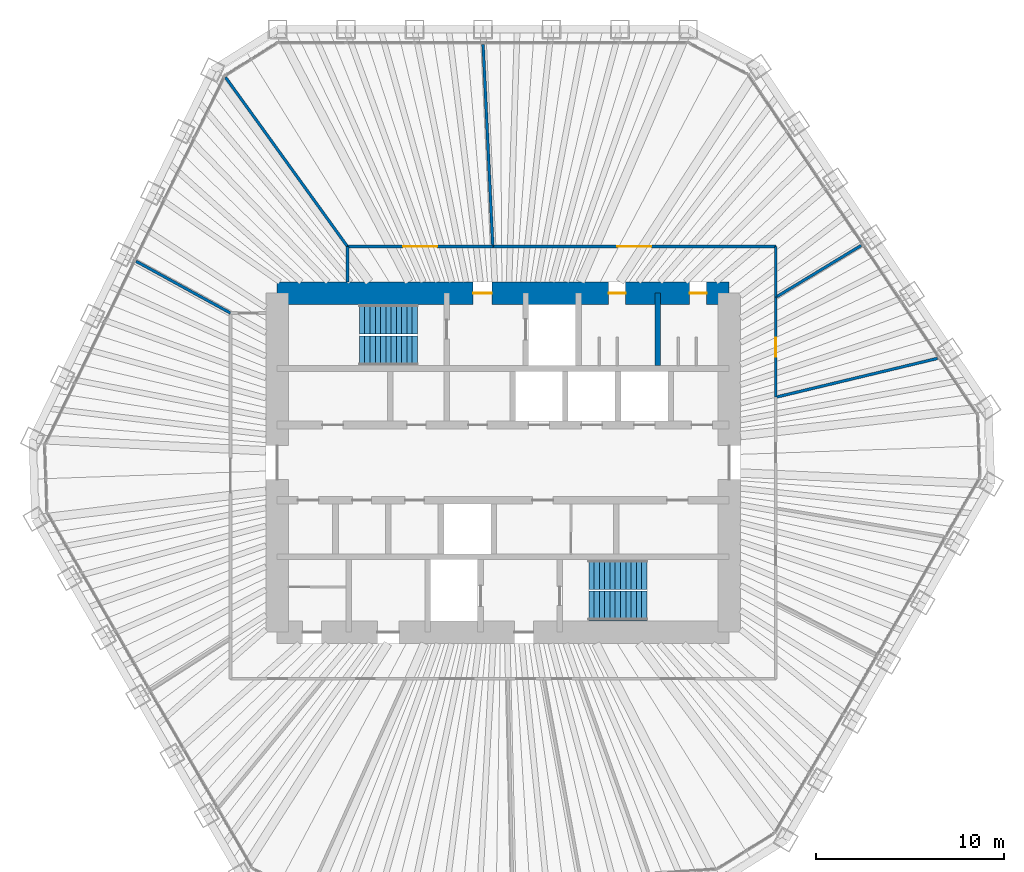
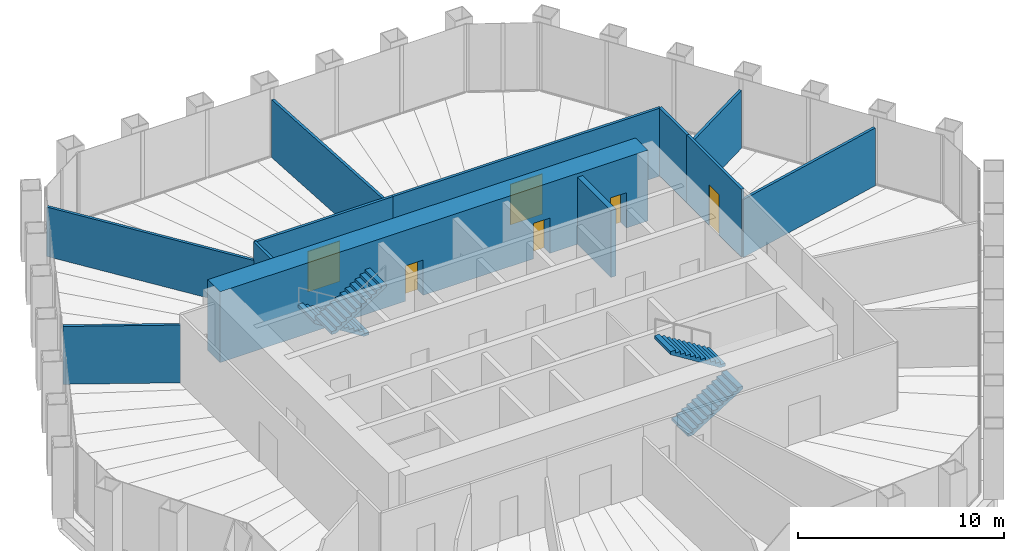
# One storey, part 12 of 13: 12 walls, 6 doors, 4 stair flights, 6 openings, 2 elements without a shape of their own.
"""IFC4 building model written with IfcOpenShell, lengths in metres."""

from ifc_helpers import new_model, si_unit, direction, frame, frame_2d, origin, place, context, subcontext, project, spatial, polyline, rectangle, outline, extrude, material, layer, layer_set, type_object, element, fill, aggregate, save


model = new_model("IFC4")

# Units and contexts
model_context = context("Model", 3, precision=1e-05, world=origin(), true_north=direction((0.0, 1.0)))
body_context = subcontext(model_context, "Body", "Model", "MODEL_VIEW")
ifc_project = project(units=[si_unit("LENGTHUNIT", "METRE"), si_unit("AREAUNIT", "SQUARE_METRE"), si_unit("VOLUMEUNIT", "CUBIC_METRE"), si_unit("PLANEANGLEUNIT", "RADIAN"), si_unit("MASSUNIT", "GRAM", prefix="KILO")], contexts=[model_context])

# Site, building, storey
site_placement = place(None, origin())
site = spatial("IfcSite", under=ifc_project, at=site_placement, CompositionType="ELEMENT")
building_placement = place(site_placement, origin())
building = spatial("IfcBuilding", under=site, at=building_placement, Name="Qingtian Harvest Tower", CompositionType="ELEMENT")
storey_placement = place(building_placement, frame((0.0, 0.0, 222.39990234375)))
storey = spatial("IfcBuildingStorey", under=building, at=storey_placement, Name="L48", CompositionType="ELEMENT", Elevation=222.39990234375)

# Wall
ifc_material_1 = material(Name="Precast concrete shaft panel", Category="concrete")
ifc_layer_1 = layer(ifc_material_1, 0.300048828125)
ifc_layer_set_1 = layer_set([ifc_layer_1], Name="Core shaft partition SW1 300")
wall_type_1 = type_object("IfcWallType", Name="Core shaft partition SW1 300", PredefinedType="PARTITIONING", material=ifc_layer_set_1)
wall_1_placement = place(storey_placement, frame((8.199951171875, 5.14990234375, 0.0), z_axis=(0.0, 0.0, 1.0), x_axis=(0.0, 1.0, 0.0)))
element("IfcWall", 1, at=wall_1_placement, inside=storey, type_object=wall_type_1, Name="Core shaft partition XN4 L48", PredefinedType="PARTITIONING", context=body_context, shape_type="SweptSolid", body=[
    extrude(rectangle(XDim=3.85009765625, YDim=0.300048828125, at=frame_2d((1.925048828125, 0.0))), origin(), (0.0, 0.0, 1.0), 3.97998046875),
])

# Wall, openings, doors
ifc_material_2 = material(Name="Concrete fc' 70 MPa", Category="concrete")
ifc_layer_2 = layer(ifc_material_2, 1.199951171875)
ifc_layer_set_2 = layer_set([ifc_layer_2], Name="Core wall RC2 1200")
wall_type_2 = type_object("IfcWallType", Name="Core wall RC2 1200", PredefinedType="SHEAR", material=ifc_layer_set_2)
wall_2_placement = place(storey_placement, frame((-12.0, 9.0, 0.0), z_axis=(0.0, 0.0, 1.0), x_axis=(1.0, 0.0, 0.0)))
wall_2 = element("IfcWall", 2, at=wall_2_placement, inside=storey, type_object=wall_type_2, Name="Core wall CN L48", PredefinedType="SHEAR", context=body_context, shape_type="SweptSolid", body=[
    extrude(rectangle(XDim=24.0, YDim=1.199951171875, at=frame_2d((12.0, 0.0))), origin(), (0.0, 0.0, 1.0), 4.2001953125),
])
opening_1_placement = place(wall_2_placement, frame((10.39990234375, 0.0, 0.0)))
opening_1 = element("IfcOpeningElement", 3, at=opening_1_placement, cuts=wall_2, Name="Opening FD1", PredefinedType="OPENING", context=body_context, shape_type="SweptSolid", body=[
    extrude(rectangle(XDim=1.0, YDim=2.10009765625, at=frame_2d((0.5, 1.050048828125))), frame((0.0, 0.60986328125, 0.0), z_axis=(0.0, -1.0, 0.0), x_axis=(1.0, 0.0, 0.0)), (0.0, 0.0, 1.0), 1.219970703125),
])
opening_2_placement = place(wall_2_placement, frame((17.60009765625, 0.0, 0.0)))
opening_2 = element("IfcOpeningElement", 4, at=opening_2_placement, cuts=wall_2, Name="Opening D1", PredefinedType="OPENING", context=body_context, shape_type="SweptSolid", body=[
    extrude(rectangle(XDim=0.89990234375, YDim=2.10009765625, at=frame_2d((0.449951171875, 1.050048828125))), frame((0.0, 0.60986328125, 0.0), z_axis=(0.0, -1.0, 0.0), x_axis=(1.0, 0.0, 0.0)), (0.0, 0.0, 1.0), 1.219970703125),
])
opening_3_placement = place(wall_2_placement, frame((21.89990234375, 0.0, 0.0)))
opening_3 = element("IfcOpeningElement", 5, at=opening_3_placement, cuts=wall_2, Name="Opening D1", PredefinedType="OPENING", context=body_context, shape_type="SweptSolid", body=[
    extrude(rectangle(XDim=0.89990234375, YDim=2.10009765625, at=frame_2d((0.449951171875, 1.050048828125))), frame((0.0, 0.60986328125, 0.0), z_axis=(0.0, -1.0, 0.0), x_axis=(1.0, 0.0, 0.0)), (0.0, 0.0, 1.0), 1.219970703125),
])
ifc_material_3 = material(Name="Steel-faced door leaf", Category="steel")
door_type_1 = type_object("IfcDoorType", Name="Fire door FD1 single 1 HR", OperationType="SINGLE_SWING_LEFT", PredefinedType="DOOR", material=ifc_material_3)
door_1_placement = place(opening_1_placement, origin())
door_1 = element("IfcDoor", 6, at=door_1_placement, inside=storey, type_object=door_type_1, Name="V1 door L48", OperationType="SINGLE_SWING_LEFT", OverallHeight=2.10009765625, OverallWidth=1.0, PredefinedType="DOOR", context=body_context, shape_type="SweptSolid", body=[
    extrude(rectangle(XDim=1.0, YDim=2.10009765625, at=frame_2d((0.5, 1.050048828125))), frame((0.0, 0.02490234375, 0.0), z_axis=(0.0, -1.0, 0.0), x_axis=(1.0, 0.0, 0.0)), (0.0, 0.0, 1.0), 0.050048828125),
])
fill(opening_1, door_1)
ifc_material_4 = material(Name="Laminated timber door leaf", Category="wood")
door_type_2 = type_object("IfcDoorType", Name="Toilet door D1 single", OperationType="SINGLE_SWING_LEFT", PredefinedType="DOOR", material=ifc_material_4)
door_2_placement = place(opening_2_placement, origin())
door_2 = element("IfcDoor", 7, at=door_2_placement, inside=storey, type_object=door_type_2, Name="WCM door L48", OperationType="SINGLE_SWING_LEFT", OverallHeight=2.10009765625, OverallWidth=0.89990234375, PredefinedType="DOOR", context=body_context, shape_type="SweptSolid", body=[
    extrude(rectangle(XDim=0.89990234375, YDim=2.10009765625, at=frame_2d((0.449951171875, 1.050048828125))), frame((0.0, 0.02490234375, 0.0), z_axis=(0.0, -1.0, 0.0), x_axis=(1.0, 0.0, 0.0)), (0.0, 0.0, 1.0), 0.050048828125),
])
fill(opening_2, door_2)
door_3_placement = place(opening_3_placement, origin())
door_3 = element("IfcDoor", 8, at=door_3_placement, inside=storey, type_object=door_type_2, Name="WCF door L48", OperationType="SINGLE_SWING_LEFT", OverallHeight=2.10009765625, OverallWidth=0.89990234375, PredefinedType="DOOR", context=body_context, shape_type="SweptSolid", body=[
    extrude(rectangle(XDim=0.89990234375, YDim=2.10009765625, at=frame_2d((0.449951171875, 1.050048828125))), frame((0.0, 0.02490234375, 0.0), z_axis=(0.0, -1.0, 0.0), x_axis=(1.0, 0.0, 0.0)), (0.0, 0.0, 1.0), 0.050048828125),
])
fill(opening_3, door_3)

# Walls
ifc_material_5 = material(Name="Gypsum board on steel studs", Category="steel")
ifc_layer_3 = layer(ifc_material_5, 0.14990234375)
ifc_layer_set_3 = layer_set([ifc_layer_3], Name="Partition PT1 150")
wall_type_3 = type_object("IfcWallType", Name="Partition PT1 150", PredefinedType="PARTITIONING", material=ifc_layer_set_3)
wall_3_placement = place(storey_placement, frame((-19.48583984375, 10.6904296875, 0.0), z_axis=(0.0, 0.0, 1.0), x_axis=(0.876724089264, -0.480993629172, 0.0)))
element("IfcWall", 9, at=wall_3_placement, inside=storey, type_object=wall_type_3, Name="Office suite wall L48", PredefinedType="PARTITIONING", context=body_context, shape_type="SweptSolid", body=[
    extrude(rectangle(XDim=5.71533203125, YDim=0.14990234375, at=frame_2d((2.857666015625, 0.0))), origin(), (0.0, 0.0, 1.0), 3.43017578125),
])
wall_4_placement = place(storey_placement, frame((-8.26708984375, 9.60009765625, 0.0), z_axis=(0.0, 0.0, 1.0), x_axis=(0.0, 1.0, 0.0)))
element("IfcWall", 10, at=wall_4_placement, inside=storey, type_object=wall_type_3, Name="Office suite wall L48", PredefinedType="PARTITIONING", context=body_context, shape_type="SweptSolid", body=[
    extrude(rectangle(XDim=1.875, YDim=0.14990234375, at=frame_2d((0.9375, 0.0))), origin(), (0.0, 0.0, 1.0), 4.030029296875),
])
wall_5_placement = place(storey_placement, frame((-14.736572265625, 20.454833984375, 0.0), z_axis=(0.0, 0.0, 1.0), x_axis=(0.584547025688, -0.811359830629, 0.0)))
element("IfcWall", 11, at=wall_5_placement, inside=storey, type_object=wall_type_3, Name="Meeting room wall L48", PredefinedType="PARTITIONING", context=body_context, shape_type="SweptSolid", body=[
    extrude(rectangle(XDim=11.067626953125, YDim=0.14990234375, at=frame_2d((5.53369140625, 0.0))), origin(), (0.0, 0.0, 1.0), 2.93017578125),
])

# Wall, opening, door
wall_6_placement = place(storey_placement, frame((-8.26708984375, 11.47509765625, 0.0), z_axis=(0.0, 0.0, 1.0), x_axis=(1.0, 0.0, 0.0)))
wall_6 = element("IfcWall", 12, at=wall_6_placement, inside=storey, type_object=wall_type_3, Name="Meeting room wall L48", PredefinedType="PARTITIONING", context=body_context, shape_type="SweptSolid", body=[
    extrude(rectangle(XDim=7.7158203125, YDim=0.14990234375, at=frame_2d((3.85791015625, 0.0))), origin(), (0.0, 0.0, 1.0), 4.030029296875),
])
opening_4_placement = place(wall_6_placement, frame((2.957763671875, 0.0, 0.0)))
opening_4 = element("IfcOpeningElement", 13, at=opening_4_placement, cuts=wall_6, Name="Opening D3", PredefinedType="OPENING", context=body_context, shape_type="SweptSolid", body=[
    extrude(rectangle(XDim=1.800048828125, YDim=2.39990234375, at=frame_2d((0.89990234375, 1.199951171875))), frame((0.0, 0.0849609375, 0.0), z_axis=(0.0, -1.0, 0.0), x_axis=(1.0, 0.0, 0.0)), (0.0, 0.0, 1.0), 0.169921875),
])
ifc_material_6 = material(Name="Laminated timber door leaf", Category="wood")
door_type_3 = type_object("IfcDoorType", Name="Room door D3 double", OperationType="DOUBLE_DOOR_DOUBLE_SWING", PredefinedType="DOOR", material=ifc_material_6)
door_4_placement = place(opening_4_placement, origin())
door_4 = element("IfcDoor", 14, at=door_4_placement, inside=storey, type_object=door_type_3, Name="Meeting room door L48", OperationType="DOUBLE_DOOR_DOUBLE_SWING", OverallHeight=2.39990234375, OverallWidth=1.800048828125, PredefinedType="DOOR", context=body_context, shape_type="SweptSolid", body=[
    extrude(rectangle(XDim=1.800048828125, YDim=2.39990234375, at=frame_2d((0.89990234375, 1.199951171875))), frame((0.0, 0.02490234375, 0.0), z_axis=(0.0, -1.0, 0.0), x_axis=(1.0, 0.0, 0.0)), (0.0, 0.0, 1.0), 0.050048828125),
])
fill(opening_4, door_4)

# Wall
wall_7_placement = place(storey_placement, frame((-1.066650390625, 22.2001953125, 0.0), z_axis=(0.0, 0.0, 1.0), x_axis=(0.047998335863, -0.998847415652, 0.0)))
element("IfcWall", 15, at=wall_7_placement, inside=storey, type_object=wall_type_3, Name="Office suite wall L48", PredefinedType="PARTITIONING", context=body_context, shape_type="SweptSolid", body=[
    extrude(rectangle(XDim=10.737548828125, YDim=0.14990234375, at=frame_2d((5.36865234375, 0.0))), origin(), (0.0, 0.0, 1.0), 3.43017578125),
])

# Wall, opening, door
wall_8_placement = place(storey_placement, frame((-0.55126953125, 11.47509765625, 0.0), z_axis=(0.0, 0.0, 1.0), x_axis=(1.0, 0.0, 0.0)))
wall_8 = element("IfcWall", 16, at=wall_8_placement, inside=storey, type_object=wall_type_3, Name="Office suite wall L48", PredefinedType="PARTITIONING", context=body_context, shape_type="SweptSolid", body=[
    extrude(rectangle(XDim=15.0263671875, YDim=0.14990234375, at=frame_2d((7.51318359375, 0.0))), origin(), (0.0, 0.0, 1.0), 4.030029296875),
])
opening_5_placement = place(wall_8_placement, frame((6.613037109375, 0.0, 0.0)))
opening_5 = element("IfcOpeningElement", 17, at=opening_5_placement, cuts=wall_8, Name="Opening D3", PredefinedType="OPENING", context=body_context, shape_type="SweptSolid", body=[
    extrude(rectangle(XDim=1.800048828125, YDim=2.39990234375, at=frame_2d((0.89990234375, 1.199951171875))), frame((0.0, 0.0849609375, 0.0), z_axis=(0.0, -1.0, 0.0), x_axis=(1.0, 0.0, 0.0)), (0.0, 0.0, 1.0), 0.169921875),
])
door_5_placement = place(opening_5_placement, origin())
door_5 = element("IfcDoor", 18, at=door_5_placement, inside=storey, type_object=door_type_3, Name="Office suite door L48", OperationType="DOUBLE_DOOR_DOUBLE_SWING", OverallHeight=2.39990234375, OverallWidth=1.800048828125, PredefinedType="DOOR", context=body_context, shape_type="SweptSolid", body=[
    extrude(rectangle(XDim=1.800048828125, YDim=2.39990234375, at=frame_2d((0.89990234375, 1.199951171875))), frame((0.0, 0.02490234375, 0.0), z_axis=(0.0, -1.0, 0.0), x_axis=(1.0, 0.0, 0.0)), (0.0, 0.0, 1.0), 0.050048828125),
])
fill(opening_5, door_5)

# Walls
wall_9_placement = place(storey_placement, frame((14.47509765625, 11.47509765625, 0.0), z_axis=(0.0, 0.0, 1.0), x_axis=(0.0, -1.0, 0.0)))
element("IfcWall", 19, at=wall_9_placement, inside=storey, type_object=wall_type_3, Name="Office suite wall L48", PredefinedType="PARTITIONING", context=body_context, shape_type="SweptSolid", body=[
    extrude(rectangle(XDim=2.691650390625, YDim=0.14990234375, at=frame_2d((1.345703125, 0.0))), origin(), (0.0, 0.0, 1.0), 4.030029296875),
])
wall_10_placement = place(storey_placement, frame((19.001220703125, 11.530029296875, 0.0), z_axis=(0.0, 0.0, 1.0), x_axis=(-0.854906581035, -0.518781975114, 0.0)))
element("IfcWall", 20, at=wall_10_placement, inside=storey, type_object=wall_type_3, Name="Pantry wall L48", PredefinedType="PARTITIONING", context=body_context, shape_type="SweptSolid", body=[
    extrude(rectangle(XDim=5.294189453125, YDim=0.14990234375, at=frame_2d((2.64697265625, 0.0))), origin(), (0.0, 0.0, 1.0), 3.43017578125),
])

# Wall, opening, door
wall_11_placement = place(storey_placement, frame((14.47509765625, 8.783447265625, 0.0), z_axis=(0.0, 0.0, 1.0), x_axis=(0.0, -1.0, 0.0)))
wall_11 = element("IfcWall", 21, at=wall_11_placement, inside=storey, type_object=wall_type_3, Name="Pantry wall L48", PredefinedType="PARTITIONING", context=body_context, shape_type="SweptSolid", body=[
    extrude(rectangle(XDim=5.308837890625, YDim=0.14990234375, at=frame_2d((2.654296875, 0.0))), origin(), (0.0, 0.0, 1.0), 4.030029296875),
])
opening_6_placement = place(wall_11_placement, frame((2.154296875, 0.0, 0.0)))
opening_6 = element("IfcOpeningElement", 22, at=opening_6_placement, cuts=wall_11, Name="Opening D2", PredefinedType="OPENING", context=body_context, shape_type="SweptSolid", body=[
    extrude(rectangle(XDim=1.0, YDim=2.39990234375, at=frame_2d((0.5, 1.199951171875))), frame((0.0, 0.0849609375, 0.0), z_axis=(0.0, -1.0, 0.0), x_axis=(1.0, 0.0, 0.0)), (0.0, 0.0, 1.0), 0.169921875),
])
ifc_material_7 = material(Name="Laminated timber door leaf", Category="wood")
door_type_4 = type_object("IfcDoorType", Name="Room door D2 single", OperationType="SINGLE_SWING_LEFT", PredefinedType="DOOR", material=ifc_material_7)
door_6_placement = place(opening_6_placement, origin())
door_6 = element("IfcDoor", 23, at=door_6_placement, inside=storey, type_object=door_type_4, Name="Pantry door L48", OperationType="SINGLE_SWING_RIGHT", OverallHeight=2.39990234375, OverallWidth=1.0, PredefinedType="DOOR", context=body_context, shape_type="SweptSolid", body=[
    extrude(rectangle(XDim=1.0, YDim=2.39990234375, at=frame_2d((0.5, 1.199951171875))), frame((0.0, 0.02490234375, 0.0), z_axis=(0.0, -1.0, 0.0), x_axis=(1.0, 0.0, 0.0)), (0.0, 0.0, 1.0), 0.050048828125),
])
fill(opening_6, door_6)

# Wall
wall_12_placement = place(storey_placement, frame((23.052978515625, 5.53369140625, 0.0), z_axis=(0.0, 0.0, 1.0), x_axis=(-0.972377252501, -0.233414821335, 0.0)))
element("IfcWall", 24, at=wall_12_placement, inside=storey, type_object=wall_type_3, Name="Private office wall L48", PredefinedType="PARTITIONING", context=body_context, shape_type="SweptSolid", body=[
    extrude(rectangle(XDim=8.821533203125, YDim=0.14990234375, at=frame_2d((4.41064453125, 0.0))), origin(), (0.0, 0.0, 1.0), 3.43017578125),
])

# Stair, stair flights
ifc_material_8 = material(Name="Concrete fc' 35 MPa", Category="concrete")
stair_type = type_object("IfcStairType", Name="Special stair ST4 4200", PredefinedType="HALF_TURN_STAIR", material=ifc_material_8)
stair_1_placement = place(storey_placement, origin())
stair_1 = element("IfcStair", 25, at=stair_1_placement, inside=storey, type_object=stair_type, Name="Special stair S1 L48", PredefinedType="HALF_TURN_STAIR")
ifc_material_9 = material(Name="Concrete fc' 35 MPa", Category="concrete")
stair_flight_type = type_object("IfcStairFlightType", Name="Stair flight SF4 4200", PredefinedType="STRAIGHT", material=ifc_material_9)
stair_flight_1_placement = place(storey_placement, frame((-4.550048828125, 7.612548828125, 0.0), z_axis=(0.0, 0.0, 1.0), x_axis=(-1.0, 0.0, 0.0)))
stair_flight_1 = element("IfcStairFlight", 26, at=stair_flight_1_placement, type_object=stair_flight_type, Name="S1 flight 1", NumberOfRisers=12, NumberOfTreads=11, PredefinedType="STRAIGHT", RiserHeight=0.175, TreadLength=0.28, context=body_context, shape_type="SweptSolid", body=[
    extrude(outline(polyline([(0.0, 0.0), (0.0, 0.175048828125), (0.280029296875, 0.175048828125), (0.280029296875, 0.35009765625), (0.56005859375, 0.35009765625), (0.56005859375, 0.52490234375), (0.840087890625, 0.52490234375), (0.840087890625, 0.699951171875), (1.1201171875, 0.699951171875), (1.1201171875, 0.875), (1.39990234375, 0.875), (1.39990234375, 1.050048828125), (1.679931640625, 1.050048828125), (1.679931640625, 1.22509765625), (1.9599609375, 1.22509765625), (1.9599609375, 1.39990234375), (2.239990234375, 1.39990234375), (2.239990234375, 1.574951171875), (2.52001953125, 1.574951171875), (2.52001953125, 1.75), (2.800048828125, 1.75), (2.800048828125, 1.925048828125), (3.080078125, 1.925048828125), (3.080078125, 2.10009765625), (3.080078125, 1.748291015625), (0.28271484375, 0.0), (0.0, 0.0)])), frame((0.0, 0.78759765625, 0.0), z_axis=(0.0, -1.0, 0.0), x_axis=(1.0, 0.0, 0.0)), (0.0, 0.0, 1.0), 1.574951171875),
])
stair_flight_2_placement = place(storey_placement, frame((-7.6298828125, 5.9375, 2.10009765625), z_axis=(0.0, 0.0, 1.0), x_axis=(1.0, 0.0, 0.0)))
stair_flight_2 = element("IfcStairFlight", 27, at=stair_flight_2_placement, type_object=stair_flight_type, Name="S1 flight 2", NumberOfRisers=12, NumberOfTreads=11, PredefinedType="STRAIGHT", RiserHeight=0.175, TreadLength=0.28, context=body_context, shape_type="SweptSolid", body=[
    extrude(outline(polyline([(0.0, 0.0), (0.0, 0.175048828125), (0.280029296875, 0.175048828125), (0.280029296875, 0.35009765625), (0.56005859375, 0.35009765625), (0.56005859375, 0.52490234375), (0.840087890625, 0.52490234375), (0.840087890625, 0.699951171875), (1.1201171875, 0.699951171875), (1.1201171875, 0.875), (1.39990234375, 0.875), (1.39990234375, 1.050048828125), (1.679931640625, 1.050048828125), (1.679931640625, 1.22509765625), (1.9599609375, 1.22509765625), (1.9599609375, 1.39990234375), (2.239990234375, 1.39990234375), (2.239990234375, 1.574951171875), (2.52001953125, 1.574951171875), (2.52001953125, 1.75), (2.800048828125, 1.75), (2.800048828125, 1.925048828125), (3.080078125, 1.925048828125), (3.080078125, 2.10009765625), (3.080078125, 1.748291015625), (0.28271484375, 0.0), (0.0, 0.0)])), frame((0.0, 0.78759765625, 0.0), z_axis=(0.0, -1.0, 0.0), x_axis=(1.0, 0.0, 0.0)), (0.0, 0.0, 1.0), 1.574951171875),
])
aggregate(stair_1, [stair_flight_1, stair_flight_2])

stair_2_placement = place(storey_placement, origin())
stair_2 = element("IfcStair", 28, at=stair_2_placement, inside=storey, type_object=stair_type, Name="Special stair S2 L48", PredefinedType="HALF_TURN_STAIR")
stair_flight_3_placement = place(storey_placement, frame((4.550048828125, -7.612548828125, 0.0), z_axis=(0.0, 0.0, 1.0), x_axis=(1.0, 0.0, 0.0)))
stair_flight_3 = element("IfcStairFlight", 29, at=stair_flight_3_placement, type_object=stair_flight_type, Name="S2 flight 1", NumberOfRisers=12, NumberOfTreads=11, PredefinedType="STRAIGHT", RiserHeight=0.175, TreadLength=0.28, context=body_context, shape_type="SweptSolid", body=[
    extrude(outline(polyline([(0.0, 0.0), (0.0, 0.175048828125), (0.280029296875, 0.175048828125), (0.280029296875, 0.35009765625), (0.56005859375, 0.35009765625), (0.56005859375, 0.52490234375), (0.840087890625, 0.52490234375), (0.840087890625, 0.699951171875), (1.1201171875, 0.699951171875), (1.1201171875, 0.875), (1.39990234375, 0.875), (1.39990234375, 1.050048828125), (1.679931640625, 1.050048828125), (1.679931640625, 1.22509765625), (1.9599609375, 1.22509765625), (1.9599609375, 1.39990234375), (2.239990234375, 1.39990234375), (2.239990234375, 1.574951171875), (2.52001953125, 1.574951171875), (2.52001953125, 1.75), (2.800048828125, 1.75), (2.800048828125, 1.925048828125), (3.080078125, 1.925048828125), (3.080078125, 2.10009765625), (3.080078125, 1.748291015625), (0.28271484375, 0.0), (0.0, 0.0)])), frame((0.0, 0.78759765625, 0.0), z_axis=(0.0, -1.0, 0.0), x_axis=(1.0, 0.0, 0.0)), (0.0, 0.0, 1.0), 1.574951171875),
])
stair_flight_4_placement = place(storey_placement, frame((7.6298828125, -5.9375, 2.10009765625), z_axis=(0.0, 0.0, 1.0), x_axis=(-1.0, 0.0, 0.0)))
stair_flight_4 = element("IfcStairFlight", 30, at=stair_flight_4_placement, type_object=stair_flight_type, Name="S2 flight 2", NumberOfRisers=12, NumberOfTreads=11, PredefinedType="STRAIGHT", RiserHeight=0.175, TreadLength=0.28, context=body_context, shape_type="SweptSolid", body=[
    extrude(outline(polyline([(0.0, 0.0), (0.0, 0.175048828125), (0.280029296875, 0.175048828125), (0.280029296875, 0.35009765625), (0.56005859375, 0.35009765625), (0.56005859375, 0.52490234375), (0.840087890625, 0.52490234375), (0.840087890625, 0.699951171875), (1.1201171875, 0.699951171875), (1.1201171875, 0.875), (1.39990234375, 0.875), (1.39990234375, 1.050048828125), (1.679931640625, 1.050048828125), (1.679931640625, 1.22509765625), (1.9599609375, 1.22509765625), (1.9599609375, 1.39990234375), (2.239990234375, 1.39990234375), (2.239990234375, 1.574951171875), (2.52001953125, 1.574951171875), (2.52001953125, 1.75), (2.800048828125, 1.75), (2.800048828125, 1.925048828125), (3.080078125, 1.925048828125), (3.080078125, 2.10009765625), (3.080078125, 1.748291015625), (0.28271484375, 0.0), (0.0, 0.0)])), frame((0.0, 0.78759765625, 0.0), z_axis=(0.0, -1.0, 0.0), x_axis=(1.0, 0.0, 0.0)), (0.0, 0.0, 1.0), 1.574951171875),
])
aggregate(stair_2, [stair_flight_3, stair_flight_4])

save(model, "model.ifc")
